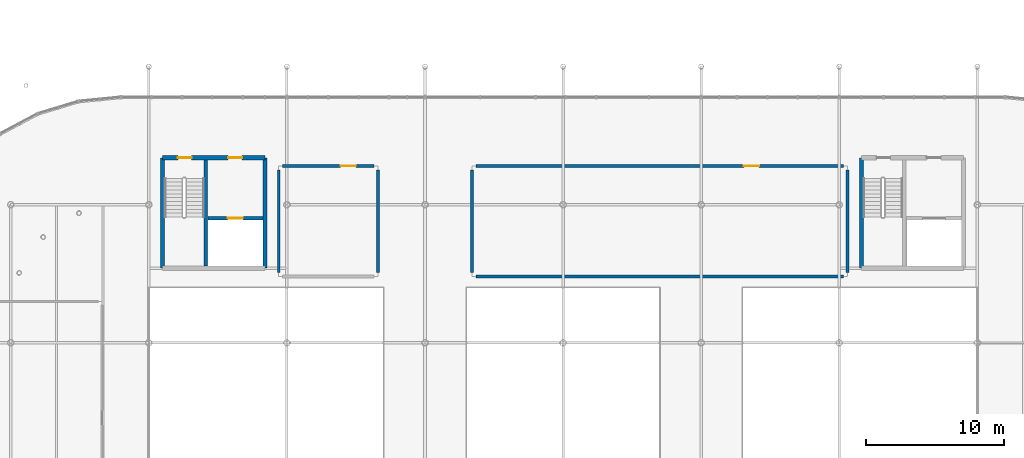
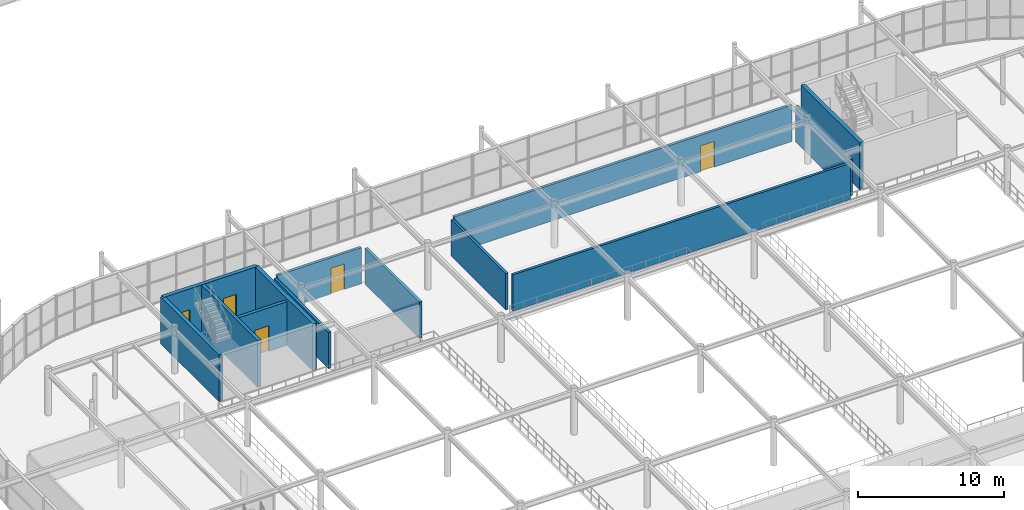
# One storey, part 77 of 98: 13 walls, 5 doors, 5 openings.
"""IFC4 building model written with IfcOpenShell, lengths in metres."""

from ifc_helpers import new_model, si_unit, derived_unit, direction, frame, frame_2d, origin, place, context, subcontext, project, spatial, rectangle, extrude, material, layer, layer_set, type_object, element, fill, save


model = new_model("IFC4")

# Units and contexts
model_context = context("Model", 3, precision=1e-05, world=origin(), true_north=direction((0.0, 1.0)))
body_context = subcontext(model_context, "Body", "Model", "MODEL_VIEW")
ifc_project = project(units=[si_unit("LENGTHUNIT", "METRE"), si_unit("AREAUNIT", "SQUARE_METRE"), si_unit("VOLUMEUNIT", "CUBIC_METRE"), si_unit("PLANEANGLEUNIT", "RADIAN"), si_unit("MASSUNIT", "GRAM", prefix="KILO"), derived_unit("THERMALTRANSMITTANCEUNIT", [(si_unit("POWERUNIT", "WATT"), 1), (si_unit("LENGTHUNIT", "METRE"), -2), (si_unit("THERMODYNAMICTEMPERATUREUNIT", "KELVIN"), -1)])], contexts=[model_context])

# Site, building, storey
site_placement = place(None, origin())
site = spatial("IfcSite", under=ifc_project, at=site_placement, CompositionType="ELEMENT")
building_placement = place(site_placement, origin())
building = spatial("IfcBuilding", under=site, at=building_placement, Name="Cinnabar Yard Market Hall", CompositionType="ELEMENT")
storey_placement = place(building_placement, frame((0.0, 0.0, 4.5)))
storey = spatial("IfcBuildingStorey", under=building, at=storey_placement, Name="L01", CompositionType="ELEMENT", Elevation=4.5)

# Wall
ifc_material_1 = material(Name="Demountable timber-framed stall partition", Category="wood")
ifc_layer_1 = layer(ifc_material_1, 0.199951171875)
ifc_layer_set_1 = layer_set([ifc_layer_1], Name="Demountable timber-framed stall partition")
wall_type_1 = type_object("IfcWallType", Name="WL-PT200", PredefinedType="MOVABLE", material=ifc_layer_set_1)
wall_1_placement = place(storey_placement, frame((102.60009765625, 59.080078125, 0.0), z_axis=(0.0, 0.0, 1.0), x_axis=(0.0, 1.0, 0.0)))
element("IfcWall", 1, at=wall_1_placement, inside=storey, type_object=wall_type_1, Name="Partition North-West Mezzanine Craft Stall Gallery east", PredefinedType="MOVABLE", context=body_context, shape_type="SweptSolid", body=[
    extrude(rectangle(XDim=7.43994140625, YDim=0.199951171875, at=frame_2d((3.719970703125, 0.0), x_axis=(1.0, 0.0))), origin(), (0.0, 0.0, 1.0), 3.030029296875),
])

# Wall, opening, door
wall_2_placement = place(storey_placement, frame((102.320068359375, 66.800048828125, 0.0), z_axis=(0.0, 0.0, 1.0), x_axis=(-1.0, 0.0, 0.0)))
wall_2 = element("IfcWall", 2, at=wall_2_placement, inside=storey, type_object=wall_type_1, Name="Partition North-West Mezzanine Craft Stall Gallery north", PredefinedType="MOVABLE", context=body_context, shape_type="SweptSolid", body=[
    extrude(rectangle(XDim=6.64013671875, YDim=0.199951171875, at=frame_2d((3.320068359375, 0.0), x_axis=(1.0, 0.0))), origin(), (0.0, 0.0, 1.0), 3.030029296875),
])
opening_1_placement = place(wall_2_placement, frame((1.32958984375, 0.0, 0.0)))
opening_1 = element("IfcOpeningElement", 3, at=opening_1_placement, cuts=wall_2, Name="Opening ID-143", PredefinedType="OPENING", context=body_context, shape_type="SweptSolid", body=[
    extrude(rectangle(XDim=1.10009765625, YDim=2.14990234375, at=frame_2d((0.550048828125, 1.074951171875), x_axis=(1.0, 0.0))), frame((0.0, 0.10986328125, 0.0), z_axis=(0.0, -1.0, 0.0), x_axis=(1.0, 0.0, 0.0)), (0.0, 0.0, 1.0), 0.219970703125),
])
ifc_material_2 = material(Name="Anodised aluminium and acoustic glass", Category="aluminium")
door_type_1 = type_object("IfcDoorType", Name="DR-D09", OperationType="NOTDEFINED", PredefinedType="DOOR", material=ifc_material_2)
door_1_placement = place(opening_1_placement, origin())
door_1 = element("IfcDoor", 4, at=door_1_placement, inside=storey, type_object=door_type_1, Name="Interior Door ID-143", OperationType="SLIDING_TO_LEFT", OverallHeight=2.14990234375, OverallWidth=1.10009765625, PredefinedType="DOOR", context=body_context, shape_type="SweptSolid", body=[
    extrude(rectangle(XDim=1.10009765625, YDim=2.14990234375, at=frame_2d((0.550048828125, 1.074951171875), x_axis=(1.0, 0.0))), frame((0.0, 0.02490234375, 0.0), z_axis=(0.0, -1.0, 0.0), x_axis=(1.0, 0.0, 0.0)), (0.0, 0.0, 1.0), 0.050048828125),
])
fill(opening_1, door_1)

# Walls
wall_3_placement = place(storey_placement, frame((95.39990234375, 66.52001953125, 0.0), z_axis=(0.0, 0.0, 1.0), x_axis=(0.0, -1.0, 0.0)))
element("IfcWall", 5, at=wall_3_placement, inside=storey, type_object=wall_type_1, Name="Partition North-West Mezzanine Craft Stall Gallery west", PredefinedType="MOVABLE", context=body_context, shape_type="SweptSolid", body=[
    extrude(rectangle(XDim=7.43994140625, YDim=0.199951171875, at=frame_2d((3.719970703125, 0.0), x_axis=(1.0, 0.0))), origin(), (0.0, 0.0, 1.0), 3.030029296875),
])
wall_4_placement = place(storey_placement, frame((109.679931640625, 58.800048828125, 0.0), z_axis=(0.0, 0.0, 1.0), x_axis=(1.0, 0.0, 0.0)))
element("IfcWall", 6, at=wall_4_placement, inside=storey, type_object=wall_type_1, Name="Partition North-East Mezzanine Preserves Stall Gallery south", PredefinedType="MOVABLE", context=body_context, shape_type="SweptSolid", body=[
    extrude(rectangle(XDim=26.64013671875, YDim=0.199951171875, at=frame_2d((13.320068359375, 0.0), x_axis=(1.0, 0.0))), origin(), (0.0, 0.0, 1.0), 3.030029296875),
])
wall_5_placement = place(storey_placement, frame((136.60009765625, 59.080078125, 0.0), z_axis=(0.0, 0.0, 1.0), x_axis=(0.0, 1.0, 0.0)))
element("IfcWall", 7, at=wall_5_placement, inside=storey, type_object=wall_type_1, Name="Partition North-East Mezzanine Preserves Stall Gallery east", PredefinedType="MOVABLE", context=body_context, shape_type="SweptSolid", body=[
    extrude(rectangle(XDim=7.43994140625, YDim=0.199951171875, at=frame_2d((3.719970703125, 0.0), x_axis=(1.0, 0.0))), origin(), (0.0, 0.0, 1.0), 3.030029296875),
])

# Wall, opening, door
wall_6_placement = place(storey_placement, frame((136.320068359375, 66.800048828125, 0.0), z_axis=(0.0, 0.0, 1.0), x_axis=(-1.0, 0.0, 0.0)))
wall_6 = element("IfcWall", 8, at=wall_6_placement, inside=storey, type_object=wall_type_1, Name="Partition North-East Mezzanine Preserves Stall Gallery north", PredefinedType="MOVABLE", context=body_context, shape_type="SweptSolid", body=[
    extrude(rectangle(XDim=26.64013671875, YDim=0.199951171875, at=frame_2d((13.320068359375, 0.0), x_axis=(1.0, 0.0))), origin(), (0.0, 0.0, 1.0), 3.030029296875),
])
opening_2_placement = place(wall_6_placement, frame((6.129638671875, 0.0, 0.0)))
opening_2 = element("IfcOpeningElement", 9, at=opening_2_placement, cuts=wall_6, Name="Opening ID-144", PredefinedType="OPENING", context=body_context, shape_type="SweptSolid", body=[
    extrude(rectangle(XDim=1.10009765625, YDim=2.14990234375, at=frame_2d((0.550048828125, 1.074951171875), x_axis=(1.0, 0.0))), frame((0.0, 0.10986328125, 0.0), z_axis=(0.0, -1.0, 0.0), x_axis=(1.0, 0.0, 0.0)), (0.0, 0.0, 1.0), 0.219970703125),
])
door_2_placement = place(opening_2_placement, origin())
door_2 = element("IfcDoor", 10, at=door_2_placement, inside=storey, type_object=door_type_1, Name="Interior Door ID-144", OperationType="SLIDING_TO_LEFT", OverallHeight=2.14990234375, OverallWidth=1.10009765625, PredefinedType="DOOR", context=body_context, shape_type="SweptSolid", body=[
    extrude(rectangle(XDim=1.10009765625, YDim=2.14990234375, at=frame_2d((0.550048828125, 1.074951171875), x_axis=(1.0, 0.0))), frame((0.0, 0.02490234375, 0.0), z_axis=(0.0, -1.0, 0.0), x_axis=(1.0, 0.0, 0.0)), (0.0, 0.0, 1.0), 0.050048828125),
])
fill(opening_2, door_2)

# Walls
wall_7_placement = place(storey_placement, frame((109.39990234375, 66.52001953125, 0.0), z_axis=(0.0, 0.0, 1.0), x_axis=(0.0, -1.0, 0.0)))
element("IfcWall", 11, at=wall_7_placement, inside=storey, type_object=wall_type_1, Name="Partition North-East Mezzanine Preserves Stall Gallery west", PredefinedType="MOVABLE", context=body_context, shape_type="SweptSolid", body=[
    extrude(rectangle(XDim=7.43994140625, YDim=0.199951171875, at=frame_2d((3.719970703125, 0.0), x_axis=(1.0, 0.0))), origin(), (0.0, 0.0, 1.0), 3.030029296875),
])
ifc_material_3 = material(Name="Concrete 40 MPa", Category="concrete")
ifc_layer_2 = layer(ifc_material_3, 0.300048828125)
ifc_layer_set_2 = layer_set([ifc_layer_2], Name="Concrete 40 MPa")
wall_type_2 = type_object("IfcWallType", Name="WL-W-CORE", PredefinedType="SHEAR", material=ifc_layer_set_2)
for number, where, z_axis, x_axis, name in (
    (12, (87.0, 67.39990234375, 0.0), (0.0, 0.0, 1.0), (0.0, -1.0, 0.0), "Core C3 West Shear Wall L01"),
    (13, (94.39990234375, 59.39990234375, 0.0), (0.0, 0.0, 1.0), (0.0, 1.0, 0.0), "Core C3 East Shear Wall L01"),
):
    element("IfcWall", number, at=place(storey_placement, frame(where, z_axis=z_axis, x_axis=x_axis)), inside=storey, type_object=wall_type_2, Name=name, PredefinedType="SHEAR", context=body_context, shape_type="SweptSolid", body=[
        extrude(rectangle(XDim=8.0, YDim=0.300048828125, at=frame_2d((4.0, 0.0), x_axis=(1.0, 0.0))), origin(), (0.0, 0.0, 1.0), 3.89990234375),
    ])

# Wall, openings, doors
wall_8_placement = place(storey_placement, frame((94.39990234375, 67.39990234375, 0.0), z_axis=(0.0, 0.0, 1.0), x_axis=(-1.0, 0.0, 0.0)))
wall_8 = element("IfcWall", 14, at=wall_8_placement, inside=storey, type_object=wall_type_2, Name="Core C3 North Shear Wall L01", PredefinedType="SHEAR", context=body_context, shape_type="SweptSolid", body=[
    extrude(rectangle(XDim=7.39990234375, YDim=0.300048828125, at=frame_2d((3.699951171875, 0.0), x_axis=(1.0, 0.0))), origin(), (0.0, 0.0, 1.0), 3.89990234375),
])
opening_3_placement = place(wall_8_placement, frame((1.64990234375, 0.0, 0.0)))
opening_3 = element("IfcOpeningElement", 15, at=opening_3_placement, cuts=wall_8, Name="Opening CD-021", PredefinedType="OPENING", context=body_context, shape_type="SweptSolid", body=[
    extrude(rectangle(XDim=1.0, YDim=2.14990234375, at=frame_2d((0.5, 1.074951171875), x_axis=(1.0, 0.0))), frame((0.0, 0.159912109375, 0.0), z_axis=(0.0, -1.0, 0.0), x_axis=(1.0, 0.0, 0.0)), (0.0, 0.0, 1.0), 0.320068359375),
])
opening_4_placement = place(wall_8_placement, frame((5.300048828125, 0.0, 0.0)))
opening_4 = element("IfcOpeningElement", 16, at=opening_4_placement, cuts=wall_8, Name="Opening CD-022", PredefinedType="OPENING", context=body_context, shape_type="SweptSolid", body=[
    extrude(rectangle(XDim=1.0, YDim=2.14990234375, at=frame_2d((0.5, 1.074951171875), x_axis=(1.0, 0.0))), frame((0.0, 0.159912109375, 0.0), z_axis=(0.0, -1.0, 0.0), x_axis=(1.0, 0.0, 0.0)), (0.0, 0.0, 1.0), 0.320068359375),
])
ifc_material_4 = material(Name="Solid-core spotted gum timber", Category="wood")
door_type_2 = type_object("IfcDoorType", Name="DR-D05", OperationType="NOTDEFINED", PredefinedType="DOOR", material=ifc_material_4)
door_3_placement = place(opening_3_placement, origin())
door_3 = element("IfcDoor", 17, at=door_3_placement, inside=storey, type_object=door_type_2, Name="Core Door CD-021", OperationType="SINGLE_SWING_RIGHT", OverallHeight=2.14990234375, OverallWidth=1.0, PredefinedType="DOOR", context=body_context, shape_type="SweptSolid", body=[
    extrude(rectangle(XDim=1.0, YDim=2.14990234375, at=frame_2d((0.5, 1.074951171875), x_axis=(1.0, 0.0))), frame((0.0, 0.02490234375, 0.0), z_axis=(0.0, -1.0, 0.0), x_axis=(1.0, 0.0, 0.0)), (0.0, 0.0, 1.0), 0.050048828125),
])
fill(opening_3, door_3)
door_4_placement = place(opening_4_placement, origin())
door_4 = element("IfcDoor", 18, at=door_4_placement, inside=storey, type_object=door_type_2, Name="Core Door CD-022", OperationType="SINGLE_SWING_LEFT", OverallHeight=2.14990234375, OverallWidth=1.0, PredefinedType="DOOR", context=body_context, shape_type="SweptSolid", body=[
    extrude(rectangle(XDim=1.0, YDim=2.14990234375, at=frame_2d((0.5, 1.074951171875), x_axis=(1.0, 0.0))), frame((0.0, 0.02490234375, 0.0), z_axis=(0.0, -1.0, 0.0), x_axis=(1.0, 0.0, 0.0)), (0.0, 0.0, 1.0), 0.050048828125),
])
fill(opening_4, door_4)

# Walls
wall_9_placement = place(storey_placement, frame((137.60009765625, 67.39990234375, 0.0), z_axis=(0.0, 0.0, 1.0), x_axis=(0.0, -1.0, 0.0)))
element("IfcWall", 19, at=wall_9_placement, inside=storey, type_object=wall_type_2, Name="Core C7 West Shear Wall L01", PredefinedType="SHEAR", context=body_context, shape_type="SweptSolid", body=[
    extrude(rectangle(XDim=8.0, YDim=0.300048828125, at=frame_2d((4.0, 0.0), x_axis=(1.0, 0.0))), origin(), (0.0, 0.0, 1.0), 3.89990234375),
])
ifc_layer_3 = layer(ifc_material_3, 0.25)
ifc_layer_set_3 = layer_set([ifc_layer_3], Name="Concrete 40 MPa")
wall_type_3 = type_object("IfcWallType", Name="WL-W-SHAFT", PredefinedType="SHEAR", material=ifc_layer_set_3)
wall_10_placement = place(storey_placement, frame((90.114990234375, 59.550048828125, 0.0), z_axis=(0.0, 0.0, 1.0), x_axis=(0.0, 1.0, 0.0)))
element("IfcWall", 20, at=wall_10_placement, inside=storey, type_object=wall_type_3, Name="Core C3 Shaft Divider L01", PredefinedType="SHEAR", context=body_context, shape_type="SweptSolid", body=[
    extrude(rectangle(XDim=7.699951171875, YDim=0.25, at=frame_2d((3.85009765625, 0.0), x_axis=(1.0, 0.0))), origin(), (0.0, 0.0, 1.0), 3.89990234375),
])

# Wall, opening, door
wall_11_placement = place(storey_placement, frame((90.280029296875, 63.02001953125, 0.0), z_axis=(0.0, 0.0, 1.0), x_axis=(1.0, 0.0, 0.0)))
wall_11 = element("IfcWall", 21, at=wall_11_placement, inside=storey, type_object=wall_type_3, Name="Core C3 Lift Front Wall L01", PredefinedType="SHEAR", context=body_context, shape_type="SweptSolid", body=[
    extrude(rectangle(XDim=3.969970703125, YDim=0.25, at=frame_2d((1.98486328125, 0.0), x_axis=(1.0, 0.0))), origin(), (0.0, 0.0, 1.0), 3.64990234375),
])
opening_5_placement = place(wall_11_placement, frame((1.43505859375, 0.0, 0.0)))
opening_5 = element("IfcOpeningElement", 22, at=opening_5_placement, cuts=wall_11, Name="Opening LD-LP-02-L01", PredefinedType="OPENING", context=body_context, shape_type="SweptSolid", body=[
    extrude(rectangle(XDim=1.10009765625, YDim=2.14990234375, at=frame_2d((0.550048828125, 1.074951171875), x_axis=(1.0, 0.0))), frame((0.0, 0.135009765625, 0.0), z_axis=(0.0, -1.0, 0.0), x_axis=(1.0, 0.0, 0.0)), (0.0, 0.0, 1.0), 0.27001953125),
])
ifc_material_5 = material(Name="Brushed stainless steel landing door", Category="steel")
door_type_3 = type_object("IfcDoorType", Name="DR-LD01", OperationType="NOTDEFINED", PredefinedType="DOOR", material=ifc_material_5)
door_5_placement = place(opening_5_placement, origin())
door_5 = element("IfcDoor", 23, at=door_5_placement, inside=storey, type_object=door_type_3, Name="Lift Landing Door LD-LP-02-L01", OperationType="SLIDING_TO_LEFT", OverallHeight=2.14990234375, OverallWidth=1.10009765625, PredefinedType="DOOR", context=body_context, shape_type="SweptSolid", body=[
    extrude(rectangle(XDim=1.10009765625, YDim=2.14990234375, at=frame_2d((0.550048828125, 1.074951171875), x_axis=(1.0, 0.0))), frame((0.0, 0.02490234375, 0.0), z_axis=(0.0, -1.0, 0.0), x_axis=(1.0, 0.0, 0.0)), (0.0, 0.0, 1.0), 0.050048828125),
])
fill(opening_5, door_5)

save(model, "model.ifc")
